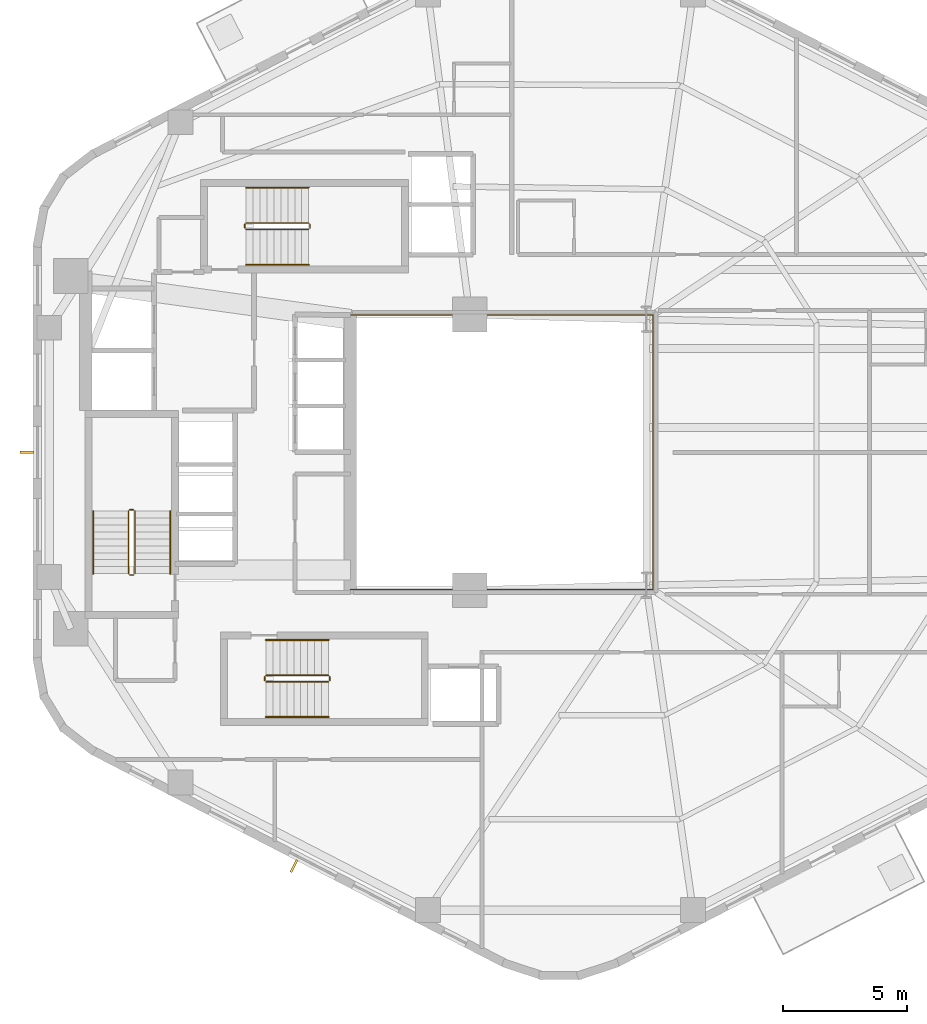
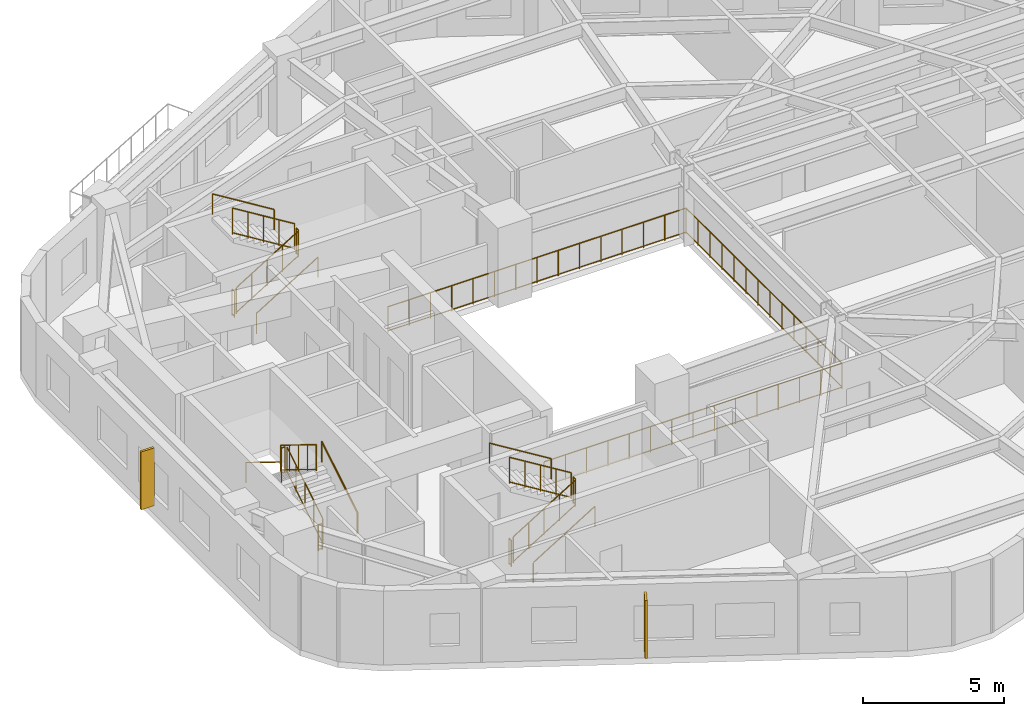
# One storey, part 9 of 10: 19 railings, 2 shading devices.
"""IFC4 building model written with IfcOpenShell, lengths in metres."""

from ifc_helpers import new_model, si_unit, direction, frame, origin, origin_2d, place, context, subcontext, project, spatial, rectangle, circle, extrude, material, type_object, element, save


model = new_model("IFC4")

# Units and contexts
model_context = context("Model", 3, precision=1e-05, world=origin(), true_north=direction((0.0, 1.0)))
body_context = subcontext(model_context, "Body", "Model", "MODEL_VIEW")
ifc_project = project(units=[si_unit("LENGTHUNIT", "METRE"), si_unit("AREAUNIT", "SQUARE_METRE"), si_unit("VOLUMEUNIT", "CUBIC_METRE"), si_unit("PLANEANGLEUNIT", "RADIAN"), si_unit("MASSUNIT", "GRAM", prefix="KILO"), si_unit("THERMODYNAMICTEMPERATUREUNIT", "KELVIN"), si_unit("POWERUNIT", "WATT")], contexts=[model_context])

# Site, building, storey
site_placement = place(None, origin())
site = spatial("IfcSite", under=ifc_project, at=site_placement, CompositionType="ELEMENT")
building_placement = place(site_placement, origin())
building = spatial("IfcBuilding", under=site, at=building_placement, Name="Skarre Station Tower", CompositionType="ELEMENT")
storey_placement = place(building_placement, frame((0.0, 0.0, 105.0)))
storey = spatial("IfcBuildingStorey", under=building, at=storey_placement, Name="L27", CompositionType="ELEMENT", Elevation=105.0)

# Railing
ifc_material_1 = material(Name="Bronze Anodized Steel & Laminated Glass Balustrade", Category="steel")
railing_type_1 = type_object("IfcRailingType", Name="Atrium Void & Mezzanine Guard Balustrade 1120", PredefinedType="GUARDRAIL", material=ifc_material_1)
railing_1_placement = place(storey_placement, frame((27.550048828125, 18.47998046875, 0.0)))
element("IfcRailing", 1, at=railing_1_placement, inside=storey, type_object=railing_type_1, Name="L27 Atrium Void Guard Balustrade", PredefinedType="GUARDRAIL", context=body_context, shape_type="SweptSolid", body=[
    extrude(circle(Radius=0.02392578125, at=origin_2d()), frame((0.0, 0.0, 1.09619140625), z_axis=(1.0, 0.0, 0.0), x_axis=(0.0, 1.0, 0.0)), (0.0, 0.0, 1.0), 12.169921875),
    extrude(circle(Radius=0.02099609375, at=origin_2d()), frame((0.0, 0.0, 0.06005859375), z_axis=(1.0, 0.0, 0.0), x_axis=(0.0, 1.0, 0.0)), (0.0, 0.0, 1.0), 12.169921875),
    extrude(circle(Radius=0.02392578125, at=origin_2d()), frame((12.169921875, 0.0, 1.09619140625), z_axis=(0.0, 1.0, 0.0), x_axis=(-1.0, 0.0, 0.0)), (0.0, 0.0, 1.0), 11.0400390625),
    extrude(circle(Radius=0.02099609375, at=origin_2d()), frame((12.169921875, 0.0, 0.06005859375), z_axis=(0.0, 1.0, 0.0), x_axis=(-1.0, 0.0, 0.0)), (0.0, 0.0, 1.0), 11.0400390625),
    extrude(circle(Radius=0.02392578125, at=origin_2d()), frame((12.169921875, 11.0400390625, 1.09619140625), z_axis=(-1.0, 0.0, 0.0), x_axis=(0.0, -1.0, 0.0)), (0.0, 0.0, 1.0), 12.169921875),
    extrude(circle(Radius=0.02099609375, at=origin_2d()), frame((12.169921875, 11.0400390625, 0.06005859375), z_axis=(-1.0, 0.0, 0.0), x_axis=(0.0, -1.0, 0.0)), (0.0, 0.0, 1.0), 12.169921875),
    extrude(circle(Radius=0.02099609375, at=origin_2d()), origin(), (0.0, 0.0, 1.0), 1.072021484375),
    extrude(circle(Radius=0.02099609375, at=origin_2d()), frame((0.869384765625, 0.0, 0.0)), (0.0, 0.0, 1.0), 1.072021484375),
    extrude(circle(Radius=0.02099609375, at=origin_2d()), frame((1.738525390625, 0.0, 0.0)), (0.0, 0.0, 1.0), 1.072021484375),
    extrude(circle(Radius=0.02099609375, at=origin_2d()), frame((2.60791015625, 0.0, 0.0)), (0.0, 0.0, 1.0), 1.072021484375),
    extrude(circle(Radius=0.02099609375, at=origin_2d()), frame((3.47705078125, 0.0, 0.0)), (0.0, 0.0, 1.0), 1.072021484375),
    extrude(circle(Radius=0.02099609375, at=origin_2d()), frame((4.346435546875, 0.0, 0.0)), (0.0, 0.0, 1.0), 1.072021484375),
    extrude(circle(Radius=0.02099609375, at=origin_2d()), frame((5.215576171875, 0.0, 0.0)), (0.0, 0.0, 1.0), 1.072021484375),
    extrude(circle(Radius=0.02099609375, at=origin_2d()), frame((6.0849609375, 0.0, 0.0)), (0.0, 0.0, 1.0), 1.072021484375),
    extrude(circle(Radius=0.02099609375, at=origin_2d()), frame((6.954345703125, 0.0, 0.0)), (0.0, 0.0, 1.0), 1.072021484375),
    extrude(circle(Radius=0.02099609375, at=origin_2d()), frame((7.823486328125, 0.0, 0.0)), (0.0, 0.0, 1.0), 1.072021484375),
    extrude(circle(Radius=0.02099609375, at=origin_2d()), frame((8.69287109375, 0.0, 0.0)), (0.0, 0.0, 1.0), 1.072021484375),
    extrude(circle(Radius=0.02099609375, at=origin_2d()), frame((9.56201171875, 0.0, 0.0)), (0.0, 0.0, 1.0), 1.072021484375),
    extrude(circle(Radius=0.02099609375, at=origin_2d()), frame((10.431396484375, 0.0, 0.0)), (0.0, 0.0, 1.0), 1.072021484375),
    extrude(circle(Radius=0.02099609375, at=origin_2d()), frame((11.300537109375, 0.0, 0.0)), (0.0, 0.0, 1.0), 1.072021484375),
    extrude(circle(Radius=0.02099609375, at=origin_2d()), frame((12.169921875, 0.0, 0.0)), (0.0, 0.0, 1.0), 1.072021484375),
    extrude(circle(Radius=0.02099609375, at=origin_2d()), frame((12.169921875, 0.84912109375, 0.0)), (0.0, 0.0, 1.0), 1.072021484375),
    extrude(circle(Radius=0.02099609375, at=origin_2d()), frame((12.169921875, 1.698486328125, 0.0)), (0.0, 0.0, 1.0), 1.072021484375),
    extrude(circle(Radius=0.02099609375, at=origin_2d()), frame((12.169921875, 2.547607421875, 0.0)), (0.0, 0.0, 1.0), 1.072021484375),
    extrude(circle(Radius=0.02099609375, at=origin_2d()), frame((12.169921875, 3.39697265625, 0.0)), (0.0, 0.0, 1.0), 1.072021484375),
    extrude(circle(Radius=0.02099609375, at=origin_2d()), frame((12.169921875, 4.24609375, 0.0)), (0.0, 0.0, 1.0), 1.072021484375),
    extrude(circle(Radius=0.02099609375, at=origin_2d()), frame((12.169921875, 5.095458984375, 0.0)), (0.0, 0.0, 1.0), 1.072021484375),
    extrude(circle(Radius=0.02099609375, at=origin_2d()), frame((12.169921875, 5.944580078125, 0.0)), (0.0, 0.0, 1.0), 1.072021484375),
    extrude(circle(Radius=0.02099609375, at=origin_2d()), frame((12.169921875, 6.7939453125, 0.0)), (0.0, 0.0, 1.0), 1.072021484375),
    extrude(circle(Radius=0.02099609375, at=origin_2d()), frame((12.169921875, 7.64306640625, 0.0)), (0.0, 0.0, 1.0), 1.072021484375),
    extrude(circle(Radius=0.02099609375, at=origin_2d()), frame((12.169921875, 8.492431640625, 0.0)), (0.0, 0.0, 1.0), 1.072021484375),
    extrude(circle(Radius=0.02099609375, at=origin_2d()), frame((12.169921875, 9.341552734375, 0.0)), (0.0, 0.0, 1.0), 1.072021484375),
    extrude(circle(Radius=0.02099609375, at=origin_2d()), frame((12.169921875, 10.19091796875, 0.0)), (0.0, 0.0, 1.0), 1.072021484375),
    extrude(circle(Radius=0.02099609375, at=origin_2d()), frame((12.169921875, 11.0400390625, 0.0)), (0.0, 0.0, 1.0), 1.072021484375),
    extrude(circle(Radius=0.02099609375, at=origin_2d()), frame((11.300537109375, 11.0400390625, 0.0)), (0.0, 0.0, 1.0), 1.072021484375),
    extrude(circle(Radius=0.02099609375, at=origin_2d()), frame((10.431396484375, 11.0400390625, 0.0)), (0.0, 0.0, 1.0), 1.072021484375),
    extrude(circle(Radius=0.02099609375, at=origin_2d()), frame((9.56201171875, 11.0400390625, 0.0)), (0.0, 0.0, 1.0), 1.072021484375),
    extrude(circle(Radius=0.02099609375, at=origin_2d()), frame((8.69287109375, 11.0400390625, 0.0)), (0.0, 0.0, 1.0), 1.072021484375),
    extrude(circle(Radius=0.02099609375, at=origin_2d()), frame((7.823486328125, 11.0400390625, 0.0)), (0.0, 0.0, 1.0), 1.072021484375),
    extrude(circle(Radius=0.02099609375, at=origin_2d()), frame((6.954345703125, 11.0400390625, 0.0)), (0.0, 0.0, 1.0), 1.072021484375),
    extrude(circle(Radius=0.02099609375, at=origin_2d()), frame((6.0849609375, 11.0400390625, 0.0)), (0.0, 0.0, 1.0), 1.072021484375),
    extrude(circle(Radius=0.02099609375, at=origin_2d()), frame((5.215576171875, 11.0400390625, 0.0)), (0.0, 0.0, 1.0), 1.072021484375),
    extrude(circle(Radius=0.02099609375, at=origin_2d()), frame((4.346435546875, 11.0400390625, 0.0)), (0.0, 0.0, 1.0), 1.072021484375),
    extrude(circle(Radius=0.02099609375, at=origin_2d()), frame((3.47705078125, 11.0400390625, 0.0)), (0.0, 0.0, 1.0), 1.072021484375),
    extrude(circle(Radius=0.02099609375, at=origin_2d()), frame((2.60791015625, 11.0400390625, 0.0)), (0.0, 0.0, 1.0), 1.072021484375),
    extrude(circle(Radius=0.02099609375, at=origin_2d()), frame((1.738525390625, 11.0400390625, 0.0)), (0.0, 0.0, 1.0), 1.072021484375),
    extrude(circle(Radius=0.02099609375, at=origin_2d()), frame((0.869384765625, 11.0400390625, 0.0)), (0.0, 0.0, 1.0), 1.072021484375),
    extrude(circle(Radius=0.02099609375, at=origin_2d()), frame((0.0, 11.0400390625, 0.0)), (0.0, 0.0, 1.0), 1.072021484375),
])

# Shading devices
ifc_material_2 = material(Name="Bronze Anodized Extruded Aluminium 6063-T6", Category="aluminium")
shading_device_type = type_object("IfcShadingDeviceType", Name="Nordic Bronze Vertical Solar Fin 550x90", PredefinedType="SHUTTER", material=ifc_material_2)
for number, where, z_axis, x_axis, name in (
    (2, (14.531982421875, 24.0, 0.35009765625), (0.0, 0.0, 1.0), (-1.0, 0.0, 0.0), "L27 Facet 2 Bronze Solar Fin"),
    (3, (25.27587890625, 7.35302734375, 0.35009765625), (0.0, 0.0, 1.0), (-0.458649554484, -0.888617232655, 0.0), "L27 Facet 3 Bronze Solar Fin"),
):
    element("IfcShadingDevice", number, at=place(storey_placement, frame(where, z_axis=z_axis, x_axis=x_axis)), inside=storey, type_object=shading_device_type, Name=name, PredefinedType="SHUTTER", context=body_context, shape_type="SweptSolid", body=[
        extrude(rectangle(XDim=0.550048828125, YDim=0.090087890625, at=origin_2d()), origin(), (0.0, 0.0, 1.0), 2.5),
    ])

# Railings
ifc_material_3 = material(Name="Powder-Coated Tubular Steel", Category="steel")
railing_type_2 = type_object("IfcRailingType", Name="Painted Steel Ramp & Stair Handrail 920", PredefinedType="HANDRAIL", material=ifc_material_3)
railing_2_placement = place(storey_placement, frame((20.300048828125, 19.1201171875, 0.172607421875)))
element("IfcRailing", 4, at=railing_2_placement, inside=storey, type_object=railing_type_2, Name="L27 ST-1 stair handrail 1", PredefinedType="HANDRAIL", context=body_context, shape_type="SweptSolid", body=[
    extrude(circle(Radius=0.02392578125, at=origin_2d()), frame((0.0, 0.0, 0.8759765625), z_axis=(0.0, 0.851377800117, 0.52455299205), x_axis=(-1.0, 0.0, 0.0)), (0.0, 0.0, 1.0), 2.959716796875),
    extrude(circle(Radius=0.02099609375, at=origin_2d()), origin(), (0.0, 0.0, 1.0), 0.851806640625),
    extrude(circle(Radius=0.02099609375, at=origin_2d()), frame((0.0, 2.519775390625, 1.552490234375)), (0.0, 0.0, 1.0), 0.851806640625),
])
railing_3_placement = place(storey_placement, frame((17.199951171875, 21.639892578125, 1.8974609375)))
element("IfcRailing", 5, at=railing_3_placement, inside=storey, type_object=railing_type_2, Name="L27 ST-1 stair handrail 2", PredefinedType="HANDRAIL", context=body_context, shape_type="SweptSolid", body=[
    extrude(circle(Radius=0.02392578125, at=origin_2d()), frame((0.0, 0.0, 0.8759765625), z_axis=(0.0, -0.851377800117, 0.52455299205), x_axis=(1.0, 0.0, 0.0)), (0.0, 0.0, 1.0), 2.959716796875),
    extrude(circle(Radius=0.02099609375, at=origin_2d()), origin(), (0.0, 0.0, 1.0), 0.851806640625),
    extrude(circle(Radius=0.02099609375, at=origin_2d()), frame((0.0, -2.519775390625, 1.552490234375)), (0.0, 0.0, 1.0), 0.851806640625),
])
railing_4_placement = place(storey_placement, frame((24.14990234375, 13.35009765625, 0.172607421875)))
element("IfcRailing", 6, at=railing_4_placement, inside=storey, type_object=railing_type_2, Name="L27 ST-2 stair handrail 1", PredefinedType="HANDRAIL", context=body_context, shape_type="SweptSolid", body=[
    extrude(circle(Radius=0.02392578125, at=origin_2d()), frame((0.0, 0.0, 0.8759765625), z_axis=(0.851400495292, 0.0, 0.524516154772), x_axis=(0.0, 1.0, 0.0)), (0.0, 0.0, 1.0), 2.9599609375),
    extrude(circle(Radius=0.02099609375, at=origin_2d()), origin(), (0.0, 0.0, 1.0), 0.851806640625),
    extrude(circle(Radius=0.02099609375, at=origin_2d()), frame((2.52001953125, 0.0, 1.552490234375)), (0.0, 0.0, 1.0), 0.851806640625),
])
railing_5_placement = place(storey_placement, frame((26.669921875, 16.449951171875, 1.8974609375)))
element("IfcRailing", 7, at=railing_5_placement, inside=storey, type_object=railing_type_2, Name="L27 ST-2 stair handrail 2", PredefinedType="HANDRAIL", context=body_context, shape_type="SweptSolid", body=[
    extrude(circle(Radius=0.02392578125, at=origin_2d()), frame((0.0, 0.0, 0.8759765625), z_axis=(-0.851400495292, 0.0, 0.524516154772), x_axis=(0.0, -1.0, 0.0)), (0.0, 0.0, 1.0), 2.9599609375),
    extrude(circle(Radius=0.02099609375, at=origin_2d()), origin(), (0.0, 0.0, 1.0), 0.851806640625),
    extrude(circle(Radius=0.02099609375, at=origin_2d()), frame((-2.52001953125, 0.0, 1.552490234375)), (0.0, 0.0, 1.0), 0.851806640625),
])
railing_6_placement = place(storey_placement, frame((23.35009765625, 31.550048828125, 0.172607421875)))
element("IfcRailing", 8, at=railing_6_placement, inside=storey, type_object=railing_type_2, Name="L27 ST-3 stair handrail 1", PredefinedType="HANDRAIL", context=body_context, shape_type="SweptSolid", body=[
    extrude(circle(Radius=0.02392578125, at=origin_2d()), frame((0.0, 0.0, 0.8759765625), z_axis=(0.851400495292, 0.0, 0.524516154772), x_axis=(0.0, 1.0, 0.0)), (0.0, 0.0, 1.0), 2.9599609375),
    extrude(circle(Radius=0.02099609375, at=origin_2d()), origin(), (0.0, 0.0, 1.0), 0.851806640625),
    extrude(circle(Radius=0.02099609375, at=origin_2d()), frame((2.52001953125, 0.0, 1.552490234375)), (0.0, 0.0, 1.0), 0.851806640625),
])
railing_7_placement = place(storey_placement, frame((25.8701171875, 34.64990234375, 1.8974609375)))
element("IfcRailing", 9, at=railing_7_placement, inside=storey, type_object=railing_type_2, Name="L27 ST-3 stair handrail 2", PredefinedType="HANDRAIL", context=body_context, shape_type="SweptSolid", body=[
    extrude(circle(Radius=0.02392578125, at=origin_2d()), frame((0.0, 0.0, 0.8759765625), z_axis=(-0.851400495292, 0.0, 0.524516154772), x_axis=(0.0, -1.0, 0.0)), (0.0, 0.0, 1.0), 2.9599609375),
    extrude(circle(Radius=0.02099609375, at=origin_2d()), origin(), (0.0, 0.0, 1.0), 0.851806640625),
    extrude(circle(Radius=0.02099609375, at=origin_2d()), frame((-2.52001953125, 0.0, 1.552490234375)), (0.0, 0.0, 1.0), 0.851806640625),
])
railing_type_3 = type_object("IfcRailingType", Name="Painted Steel Stairwell Guardrail 1100", PredefinedType="GUARDRAIL", material=ifc_material_3)
railing_8_placement = place(storey_placement, frame((18.8798828125, 19.1201171875, 0.172607421875)))
element("IfcRailing", 10, at=railing_8_placement, inside=storey, type_object=railing_type_3, Name="L27 ST-1 stair guard 1", PredefinedType="GUARDRAIL", context=body_context, shape_type="SweptSolid", body=[
    extrude(circle(Radius=0.02392578125, at=origin_2d()), frame((0.0, 0.0, 1.1259765625), z_axis=(0.0, 0.851377800117, 0.52455299205), x_axis=(-1.0, 0.0, 0.0)), (0.0, 0.0, 1.0), 2.959716796875),
    extrude(circle(Radius=0.02099609375, at=origin_2d()), frame((0.0, 0.0, 0.06005859375), z_axis=(0.0, 0.851377800117, 0.52455299205), x_axis=(-1.0, 0.0, 0.0)), (0.0, 0.0, 1.0), 2.959716796875),
    extrude(circle(Radius=0.02099609375, at=origin_2d()), origin(), (0.0, 0.0, 1.0), 1.101806640625),
    extrude(circle(Radius=0.02099609375, at=origin_2d()), frame((0.0, 0.6298828125, 0.38818359375)), (0.0, 0.0, 1.0), 1.101806640625),
    extrude(circle(Radius=0.02099609375, at=origin_2d()), frame((0.0, 1.259765625, 0.7763671875)), (0.0, 0.0, 1.0), 1.101806640625),
    extrude(circle(Radius=0.02099609375, at=origin_2d()), frame((0.0, 1.889892578125, 1.164306640625)), (0.0, 0.0, 1.0), 1.101806640625),
    extrude(circle(Radius=0.02099609375, at=origin_2d()), frame((0.0, 2.519775390625, 1.552490234375)), (0.0, 0.0, 1.0), 1.101806640625),
])
railing_9_placement = place(storey_placement, frame((18.830078125, 21.68994140625, 1.72509765625)))
element("IfcRailing", 11, at=railing_9_placement, inside=storey, type_object=railing_type_3, Name="L27 ST-1 stair guard 2", PredefinedType="GUARDRAIL", context=body_context, shape_type="SweptSolid", body=[
    extrude(circle(Radius=0.02392578125, at=origin_2d()), frame((0.0, 0.0, 1.1259765625), z_axis=(-1.0, 0.0, 0.0), x_axis=(0.0, -1.0, 0.0)), (0.0, 0.0, 1.0), 0.16015625),
    extrude(circle(Radius=0.02099609375, at=origin_2d()), frame((0.0, 0.0, 0.06005859375), z_axis=(-1.0, 0.0, 0.0), x_axis=(0.0, -1.0, 0.0)), (0.0, 0.0, 1.0), 0.16015625),
    extrude(circle(Radius=0.02099609375, at=origin_2d()), origin(), (0.0, 0.0, 1.0), 1.101806640625),
    extrude(circle(Radius=0.02099609375, at=origin_2d()), frame((-0.16015625, 0.0, 0.0)), (0.0, 0.0, 1.0), 1.101806640625),
])
railing_10_placement = place(storey_placement, frame((18.6201171875, 21.639892578125, 1.8974609375)))
element("IfcRailing", 12, at=railing_10_placement, inside=storey, type_object=railing_type_3, Name="L27 ST-1 stair guard 3", PredefinedType="GUARDRAIL", context=body_context, shape_type="SweptSolid", body=[
    extrude(circle(Radius=0.02392578125, at=origin_2d()), frame((0.0, 0.0, 1.1259765625), z_axis=(0.0, -0.851377800117, 0.52455299205), x_axis=(1.0, 0.0, 0.0)), (0.0, 0.0, 1.0), 2.959716796875),
    extrude(circle(Radius=0.02099609375, at=origin_2d()), frame((0.0, 0.0, 0.06005859375), z_axis=(0.0, -0.851377800117, 0.52455299205), x_axis=(1.0, 0.0, 0.0)), (0.0, 0.0, 1.0), 2.959716796875),
    extrude(circle(Radius=0.02099609375, at=origin_2d()), origin(), (0.0, 0.0, 1.0), 1.101806640625),
    extrude(circle(Radius=0.02099609375, at=origin_2d()), frame((0.0, -0.6298828125, 0.38818359375)), (0.0, 0.0, 1.0), 1.101806640625),
    extrude(circle(Radius=0.02099609375, at=origin_2d()), frame((0.0, -1.259765625, 0.7763671875)), (0.0, 0.0, 1.0), 1.101806640625),
    extrude(circle(Radius=0.02099609375, at=origin_2d()), frame((0.0, -1.889892578125, 1.164306640625)), (0.0, 0.0, 1.0), 1.101806640625),
    extrude(circle(Radius=0.02099609375, at=origin_2d()), frame((0.0, -2.519775390625, 1.552490234375)), (0.0, 0.0, 1.0), 1.101806640625),
])
railing_11_placement = place(storey_placement, frame((18.830078125, 19.070068359375, 0.0)))
element("IfcRailing", 13, at=railing_11_placement, inside=storey, type_object=railing_type_3, Name="L27 ST-1 stair guard 4", PredefinedType="GUARDRAIL", context=body_context, shape_type="SweptSolid", body=[
    extrude(circle(Radius=0.02392578125, at=origin_2d()), frame((0.0, 0.0, 1.1259765625), z_axis=(-1.0, 0.0, 0.0), x_axis=(0.0, -1.0, 0.0)), (0.0, 0.0, 1.0), 0.16015625),
    extrude(circle(Radius=0.02099609375, at=origin_2d()), frame((0.0, 0.0, 0.06005859375), z_axis=(-1.0, 0.0, 0.0), x_axis=(0.0, -1.0, 0.0)), (0.0, 0.0, 1.0), 0.16015625),
    extrude(circle(Radius=0.02099609375, at=origin_2d()), origin(), (0.0, 0.0, 1.0), 1.101806640625),
    extrude(circle(Radius=0.02099609375, at=origin_2d()), frame((-0.16015625, 0.0, 0.0)), (0.0, 0.0, 1.0), 1.101806640625),
])
railing_12_placement = place(storey_placement, frame((24.14990234375, 14.77001953125, 0.172607421875)))
element("IfcRailing", 14, at=railing_12_placement, inside=storey, type_object=railing_type_3, Name="L27 ST-2 stair guard 1", PredefinedType="GUARDRAIL", context=body_context, shape_type="SweptSolid", body=[
    extrude(circle(Radius=0.02392578125, at=origin_2d()), frame((0.0, 0.0, 1.1259765625), z_axis=(0.851400495292, 0.0, 0.524516154772), x_axis=(0.0, 1.0, 0.0)), (0.0, 0.0, 1.0), 2.9599609375),
    extrude(circle(Radius=0.02099609375, at=origin_2d()), frame((0.0, 0.0, 0.06005859375), z_axis=(0.851400495292, 0.0, 0.524516154772), x_axis=(0.0, 1.0, 0.0)), (0.0, 0.0, 1.0), 2.9599609375),
    extrude(circle(Radius=0.02099609375, at=origin_2d()), origin(), (0.0, 0.0, 1.0), 1.101806640625),
    extrude(circle(Radius=0.02099609375, at=origin_2d()), frame((0.6298828125, 0.0, 0.38818359375)), (0.0, 0.0, 1.0), 1.101806640625),
    extrude(circle(Radius=0.02099609375, at=origin_2d()), frame((1.260009765625, 0.0, 0.7763671875)), (0.0, 0.0, 1.0), 1.101806640625),
    extrude(circle(Radius=0.02099609375, at=origin_2d()), frame((1.89013671875, 0.0, 1.164306640625)), (0.0, 0.0, 1.0), 1.101806640625),
    extrude(circle(Radius=0.02099609375, at=origin_2d()), frame((2.52001953125, 0.0, 1.552490234375)), (0.0, 0.0, 1.0), 1.101806640625),
])
railing_13_placement = place(storey_placement, frame((26.719970703125, 14.820068359375, 1.72509765625)))
element("IfcRailing", 15, at=railing_13_placement, inside=storey, type_object=railing_type_3, Name="L27 ST-2 stair guard 2", PredefinedType="GUARDRAIL", context=body_context, shape_type="SweptSolid", body=[
    extrude(circle(Radius=0.02392578125, at=origin_2d()), frame((0.0, 0.0, 1.1259765625), z_axis=(0.0, 1.0, 0.0), x_axis=(-1.0, 0.0, 0.0)), (0.0, 0.0, 1.0), 0.159912109375),
    extrude(circle(Radius=0.02099609375, at=origin_2d()), frame((0.0, 0.0, 0.06005859375), z_axis=(0.0, 1.0, 0.0), x_axis=(-1.0, 0.0, 0.0)), (0.0, 0.0, 1.0), 0.159912109375),
    extrude(circle(Radius=0.02099609375, at=origin_2d()), origin(), (0.0, 0.0, 1.0), 1.101806640625),
    extrude(circle(Radius=0.02099609375, at=origin_2d()), frame((0.0, 0.159912109375, 0.0)), (0.0, 0.0, 1.0), 1.101806640625),
])
railing_14_placement = place(storey_placement, frame((26.669921875, 15.030029296875, 1.8974609375)))
element("IfcRailing", 16, at=railing_14_placement, inside=storey, type_object=railing_type_3, Name="L27 ST-2 stair guard 3", PredefinedType="GUARDRAIL", context=body_context, shape_type="SweptSolid", body=[
    extrude(circle(Radius=0.02392578125, at=origin_2d()), frame((0.0, 0.0, 1.1259765625), z_axis=(-0.851400495292, 0.0, 0.524516154772), x_axis=(0.0, -1.0, 0.0)), (0.0, 0.0, 1.0), 2.9599609375),
    extrude(circle(Radius=0.02099609375, at=origin_2d()), frame((0.0, 0.0, 0.06005859375), z_axis=(-0.851400495292, 0.0, 0.524516154772), x_axis=(0.0, -1.0, 0.0)), (0.0, 0.0, 1.0), 2.9599609375),
    extrude(circle(Radius=0.02099609375, at=origin_2d()), origin(), (0.0, 0.0, 1.0), 1.101806640625),
    extrude(circle(Radius=0.02099609375, at=origin_2d()), frame((-0.6298828125, 0.0, 0.38818359375)), (0.0, 0.0, 1.0), 1.101806640625),
    extrude(circle(Radius=0.02099609375, at=origin_2d()), frame((-1.260009765625, 0.0, 0.7763671875)), (0.0, 0.0, 1.0), 1.101806640625),
    extrude(circle(Radius=0.02099609375, at=origin_2d()), frame((-1.89013671875, 0.0, 1.164306640625)), (0.0, 0.0, 1.0), 1.101806640625),
    extrude(circle(Radius=0.02099609375, at=origin_2d()), frame((-2.52001953125, 0.0, 1.552490234375)), (0.0, 0.0, 1.0), 1.101806640625),
])
railing_15_placement = place(storey_placement, frame((24.10009765625, 14.820068359375, 0.0)))
element("IfcRailing", 17, at=railing_15_placement, inside=storey, type_object=railing_type_3, Name="L27 ST-2 stair guard 4", PredefinedType="GUARDRAIL", context=body_context, shape_type="SweptSolid", body=[
    extrude(circle(Radius=0.02392578125, at=origin_2d()), frame((0.0, 0.0, 1.1259765625), z_axis=(0.0, 1.0, 0.0), x_axis=(-1.0, 0.0, 0.0)), (0.0, 0.0, 1.0), 0.159912109375),
    extrude(circle(Radius=0.02099609375, at=origin_2d()), frame((0.0, 0.0, 0.06005859375), z_axis=(0.0, 1.0, 0.0), x_axis=(-1.0, 0.0, 0.0)), (0.0, 0.0, 1.0), 0.159912109375),
    extrude(circle(Radius=0.02099609375, at=origin_2d()), origin(), (0.0, 0.0, 1.0), 1.101806640625),
    extrude(circle(Radius=0.02099609375, at=origin_2d()), frame((0.0, 0.159912109375, 0.0)), (0.0, 0.0, 1.0), 1.101806640625),
])
railing_16_placement = place(storey_placement, frame((23.35009765625, 32.969970703125, 0.172607421875)))
element("IfcRailing", 18, at=railing_16_placement, inside=storey, type_object=railing_type_3, Name="L27 ST-3 stair guard 1", PredefinedType="GUARDRAIL", context=body_context, shape_type="SweptSolid", body=[
    extrude(circle(Radius=0.02392578125, at=origin_2d()), frame((0.0, 0.0, 1.1259765625), z_axis=(0.851400495292, 0.0, 0.524516154772), x_axis=(0.0, 1.0, 0.0)), (0.0, 0.0, 1.0), 2.9599609375),
    extrude(circle(Radius=0.02099609375, at=origin_2d()), frame((0.0, 0.0, 0.06005859375), z_axis=(0.851400495292, 0.0, 0.524516154772), x_axis=(0.0, 1.0, 0.0)), (0.0, 0.0, 1.0), 2.9599609375),
    extrude(circle(Radius=0.02099609375, at=origin_2d()), origin(), (0.0, 0.0, 1.0), 1.101806640625),
    extrude(circle(Radius=0.02099609375, at=origin_2d()), frame((0.6298828125, 0.0, 0.38818359375)), (0.0, 0.0, 1.0), 1.101806640625),
    extrude(circle(Radius=0.02099609375, at=origin_2d()), frame((1.260009765625, 0.0, 0.7763671875)), (0.0, 0.0, 1.0), 1.101806640625),
    extrude(circle(Radius=0.02099609375, at=origin_2d()), frame((1.89013671875, 0.0, 1.164306640625)), (0.0, 0.0, 1.0), 1.101806640625),
    extrude(circle(Radius=0.02099609375, at=origin_2d()), frame((2.52001953125, 0.0, 1.552490234375)), (0.0, 0.0, 1.0), 1.101806640625),
])
railing_17_placement = place(storey_placement, frame((25.919921875, 33.02001953125, 1.72509765625)))
element("IfcRailing", 19, at=railing_17_placement, inside=storey, type_object=railing_type_3, Name="L27 ST-3 stair guard 2", PredefinedType="GUARDRAIL", context=body_context, shape_type="SweptSolid", body=[
    extrude(circle(Radius=0.02392578125, at=origin_2d()), frame((0.0, 0.0, 1.1259765625), z_axis=(0.0, 1.0, 0.0), x_axis=(-1.0, 0.0, 0.0)), (0.0, 0.0, 1.0), 0.159912109375),
    extrude(circle(Radius=0.02099609375, at=origin_2d()), frame((0.0, 0.0, 0.06005859375), z_axis=(0.0, 1.0, 0.0), x_axis=(-1.0, 0.0, 0.0)), (0.0, 0.0, 1.0), 0.159912109375),
    extrude(circle(Radius=0.02099609375, at=origin_2d()), origin(), (0.0, 0.0, 1.0), 1.101806640625),
    extrude(circle(Radius=0.02099609375, at=origin_2d()), frame((0.0, 0.159912109375, 0.0)), (0.0, 0.0, 1.0), 1.101806640625),
])
railing_18_placement = place(storey_placement, frame((25.8701171875, 33.22998046875, 1.8974609375)))
element("IfcRailing", 20, at=railing_18_placement, inside=storey, type_object=railing_type_3, Name="L27 ST-3 stair guard 3", PredefinedType="GUARDRAIL", context=body_context, shape_type="SweptSolid", body=[
    extrude(circle(Radius=0.02392578125, at=origin_2d()), frame((0.0, 0.0, 1.1259765625), z_axis=(-0.851400495292, 0.0, 0.524516154772), x_axis=(0.0, -1.0, 0.0)), (0.0, 0.0, 1.0), 2.9599609375),
    extrude(circle(Radius=0.02099609375, at=origin_2d()), frame((0.0, 0.0, 0.06005859375), z_axis=(-0.851400495292, 0.0, 0.524516154772), x_axis=(0.0, -1.0, 0.0)), (0.0, 0.0, 1.0), 2.9599609375),
    extrude(circle(Radius=0.02099609375, at=origin_2d()), origin(), (0.0, 0.0, 1.0), 1.101806640625),
    extrude(circle(Radius=0.02099609375, at=origin_2d()), frame((-0.6298828125, 0.0, 0.38818359375)), (0.0, 0.0, 1.0), 1.101806640625),
    extrude(circle(Radius=0.02099609375, at=origin_2d()), frame((-1.260009765625, 0.0, 0.7763671875)), (0.0, 0.0, 1.0), 1.101806640625),
    extrude(circle(Radius=0.02099609375, at=origin_2d()), frame((-1.89013671875, 0.0, 1.164306640625)), (0.0, 0.0, 1.0), 1.101806640625),
    extrude(circle(Radius=0.02099609375, at=origin_2d()), frame((-2.52001953125, 0.0, 1.552490234375)), (0.0, 0.0, 1.0), 1.101806640625),
])
railing_19_placement = place(storey_placement, frame((23.300048828125, 33.02001953125, 0.0)))
element("IfcRailing", 21, at=railing_19_placement, inside=storey, type_object=railing_type_3, Name="L27 ST-3 stair guard 4", PredefinedType="GUARDRAIL", context=body_context, shape_type="SweptSolid", body=[
    extrude(circle(Radius=0.02392578125, at=origin_2d()), frame((0.0, 0.0, 1.1259765625), z_axis=(0.0, 1.0, 0.0), x_axis=(-1.0, 0.0, 0.0)), (0.0, 0.0, 1.0), 0.159912109375),
    extrude(circle(Radius=0.02099609375, at=origin_2d()), frame((0.0, 0.0, 0.06005859375), z_axis=(0.0, 1.0, 0.0), x_axis=(-1.0, 0.0, 0.0)), (0.0, 0.0, 1.0), 0.159912109375),
    extrude(circle(Radius=0.02099609375, at=origin_2d()), origin(), (0.0, 0.0, 1.0), 1.101806640625),
    extrude(circle(Radius=0.02099609375, at=origin_2d()), frame((0.0, 0.159912109375, 0.0)), (0.0, 0.0, 1.0), 1.101806640625),
])

save(model, "model.ifc")
